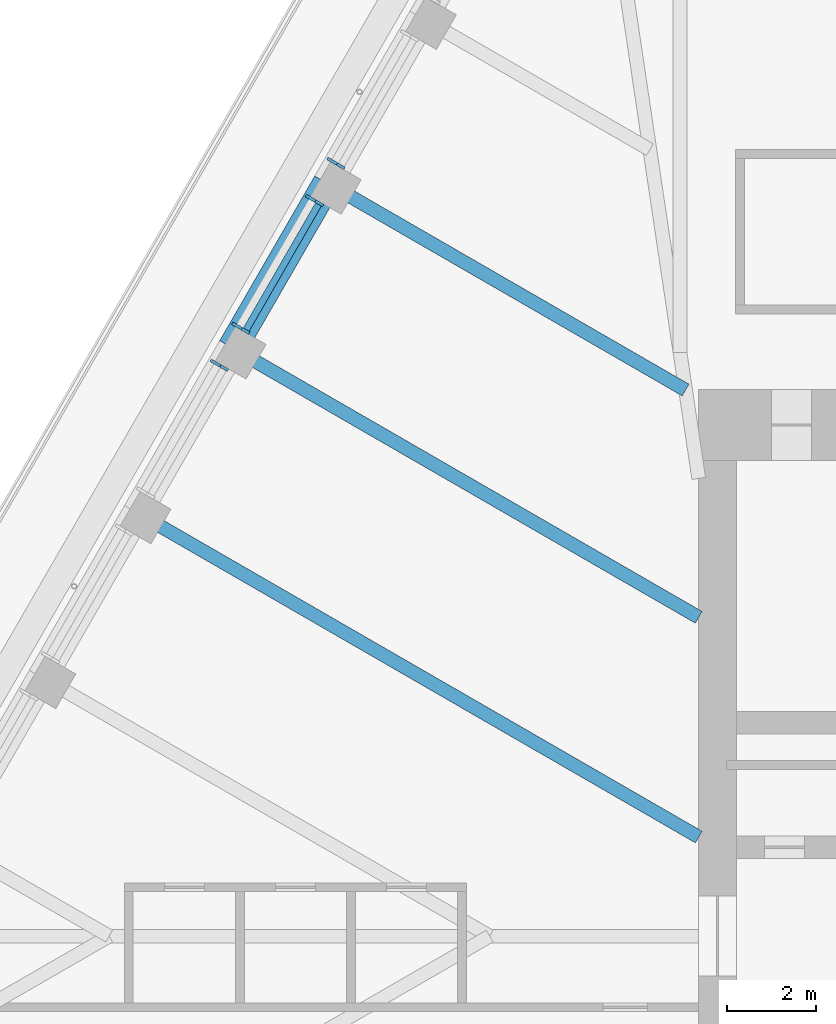
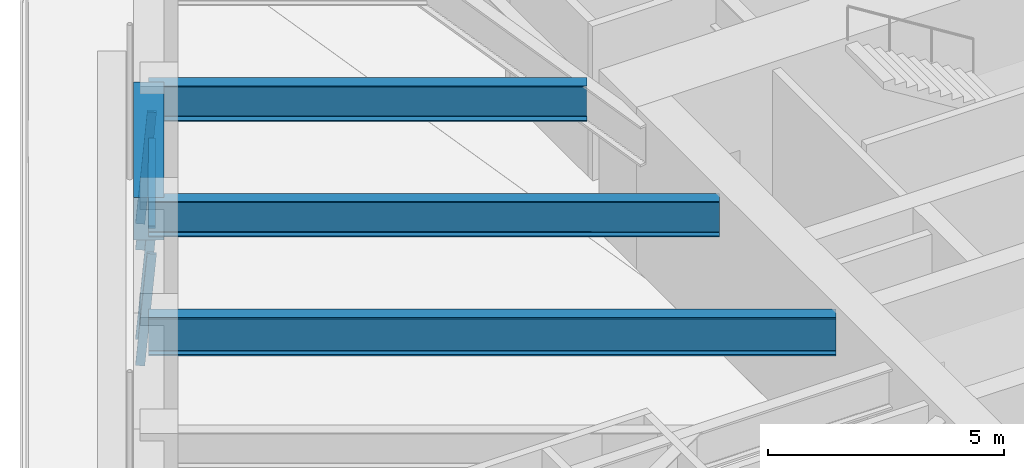
# One storey, part 7 of 19: 5 members, 4 beams, 3 elements without a shape of their own.
"""IFC4 building model written with IfcOpenShell, lengths in metres."""

from ifc_helpers import new_model, si_unit, direction, frame, origin, origin_2d, place, context, subcontext, project, spatial, rectangle, i_section, extrude, material, material_profile, profile_set, type_object, element, aggregate, save


model = new_model("IFC4")

# Units and contexts
model_context = context("Model", 3, precision=1e-05, world=origin(), true_north=direction((0.0, 1.0)))
body_context = subcontext(model_context, "Body", "Model", "MODEL_VIEW")
ifc_project = project(units=[si_unit("LENGTHUNIT", "METRE"), si_unit("AREAUNIT", "SQUARE_METRE"), si_unit("VOLUMEUNIT", "CUBIC_METRE"), si_unit("PLANEANGLEUNIT", "RADIAN"), si_unit("MASSUNIT", "GRAM", prefix="KILO")], contexts=[model_context])

# Site, building, storey
site_placement = place(None, origin())
site = spatial("IfcSite", under=ifc_project, at=site_placement, CompositionType="ELEMENT")
building_placement = place(site_placement, origin())
building = spatial("IfcBuilding", under=site, at=building_placement, Name="Tarfa Lantern Tower", CompositionType="ELEMENT")
storey_placement = place(building_placement, frame((0.0, 0.0, 353.5)))
storey = spatial("IfcBuildingStorey", under=building, at=storey_placement, Name="L80", CompositionType="ELEMENT", Elevation=353.5)

# Curtain wall, member
ifc_material_1 = material(Name="Aluminium framed curtain wall", Category="aluminium")
curtain_wall_type = type_object("IfcCurtainWallType", Name="CW4 CANTED GLAZING EXECUTIVE ZONE 2900", PredefinedType="USERDEFINED", material=ifc_material_1)
curtain_wall_1_placement = place(storey_placement, origin())
curtain_wall_1 = element("IfcCurtainWall", 1, at=curtain_wall_1_placement, inside=storey, type_object=curtain_wall_type, Name="CW4 NW L80", ObjectType="CURTAIN WALL", PredefinedType="USERDEFINED")
ifc_material_2 = material(Name="Aluminium mullion", Category="aluminium")
ifc_material_profile_1 = material_profile(ifc_material_2, rectangle(XDim=0.06494140625, YDim=0.199951171875, at=origin_2d()), Name="AL MULLION 65x200")
ifc_profile_set_1 = profile_set([ifc_material_profile_1], Name="Aluminium mullion")
member_type_1 = type_object("IfcMemberType", Name="CWM1 MULLION 65x200", PredefinedType="MULLION", material=ifc_profile_set_1)
member_1_placement = place(storey_placement, frame((-20.697265625, 17.451171875, 0.0), z_axis=(0.074399820079, -0.042945555672, 0.996303340364), x_axis=(0.499919672301, 0.866071776036, 0.0)))
member_1 = element("IfcMember", 2, at=member_1_placement, type_object=member_type_1, Name="CW4 mullion 2", PredefinedType="MULLION", context=body_context, shape_type="SweptSolid", body=[
    extrude(rectangle(XDim=0.06494140625, YDim=0.199951171875, at=origin_2d()), origin(), (0.0, 0.0, 1.0), 2.91064453125),
])
aggregate(curtain_wall_1, [member_1])

# Curtain wall, members
curtain_wall_2_placement = place(storey_placement, origin())
curtain_wall_2 = element("IfcCurtainWall", 3, at=curtain_wall_2_placement, inside=storey, type_object=curtain_wall_type, Name="CW4 NW L80", ObjectType="CURTAIN WALL", PredefinedType="USERDEFINED")
member_2_placement = place(storey_placement, frame((-21.179931640625, 16.615478515625, 0.0), z_axis=(0.074399820079, -0.042945555672, 0.996303340364), x_axis=(0.499919672301, 0.866071776036, 0.0)))
member_2 = element("IfcMember", 4, at=member_2_placement, type_object=member_type_1, Name="CW4 mullion 1", PredefinedType="MULLION", context=body_context, shape_type="SweptSolid", body=[
    extrude(rectangle(XDim=0.06494140625, YDim=0.199951171875, at=origin_2d()), origin(), (0.0, 0.0, 1.0), 2.91064453125),
])
member_3_placement = place(storey_placement, frame((-22.83837890625, 13.742919921875, 0.0), z_axis=(0.074399820079, -0.042945555672, 0.996303340364), x_axis=(0.499919672301, 0.866071776036, 0.0)))
member_3 = element("IfcMember", 5, at=member_3_placement, type_object=member_type_1, Name="CW4 mullion 2", PredefinedType="MULLION", context=body_context, shape_type="SweptSolid", body=[
    extrude(rectangle(XDim=0.06494140625, YDim=0.199951171875, at=origin_2d()), origin(), (0.0, 0.0, 1.0), 2.91064453125),
])

# Curtain wall, member
curtain_wall_3_placement = place(storey_placement, origin())
curtain_wall_3 = element("IfcCurtainWall", 6, at=curtain_wall_3_placement, inside=storey, type_object=curtain_wall_type, Name="CW4 NW L80", ObjectType="CURTAIN WALL", PredefinedType="USERDEFINED")
member_4_placement = place(storey_placement, frame((-23.32080078125, 12.9072265625, 0.0), z_axis=(0.074399820079, -0.042945555672, 0.996303340364), x_axis=(0.499919672301, 0.866071776036, 0.0)))
member_4 = element("IfcMember", 7, at=member_4_placement, type_object=member_type_1, Name="CW4 mullion 1", PredefinedType="MULLION", context=body_context, shape_type="SweptSolid", body=[
    extrude(rectangle(XDim=0.06494140625, YDim=0.199951171875, at=origin_2d()), origin(), (0.0, 0.0, 1.0), 2.91064453125),
])
aggregate(curtain_wall_3, [member_4])

# Member
ifc_material_3 = material(Name="Aluminium transom", Category="aluminium")
ifc_material_profile_2 = material_profile(ifc_material_3, rectangle(XDim=0.14990234375, YDim=0.06494140625, at=origin_2d()), Name="AL TRANSOM 150x65")
ifc_profile_set_2 = profile_set([ifc_material_profile_2], Name="Aluminium transom")
member_type_2 = type_object("IfcMemberType", Name="CWT1 TRANSOM 150x65", PredefinedType="USERDEFINED", material=ifc_profile_set_2)
member_5_placement = place(storey_placement, frame((-20.98193359375, 16.463623046875, 2.867431640625), z_axis=(-0.500014901547, -0.866016800201, 0.0), x_axis=(0.866016800201, -0.500014901547, 0.0)))
member_5 = element("IfcMember", 8, at=member_5_placement, type_object=member_type_2, Name="CW4 transom 1.2", ObjectType="TRANSOM", PredefinedType="USERDEFINED", context=body_context, shape_type="SweptSolid", body=[
    extrude(rectangle(XDim=0.14990234375, YDim=0.06494140625, at=origin_2d()), origin(), (0.0, 0.0, 1.0), 3.251953125),
])

aggregate(curtain_wall_2, [member_2, member_3, member_5])

# Beams
ifc_material_4 = material(Name="Concrete C80/95", Category="concrete")
ifc_material_profile_3 = material_profile(ifc_material_4, rectangle(XDim=0.64990234375, YDim=1.10009765625, at=origin_2d()), Name="RC 650x1100")
ifc_profile_set_3 = profile_set([ifc_material_profile_3], Name="Concrete C80/95")
beam_type_1 = type_object("IfcBeamType", Name="EB4 RC 650x1100", PredefinedType="SPANDREL", material=ifc_profile_set_3)
beam_1_placement = place(storey_placement, frame((-20.78271484375, 16.943359375, 3.449951171875), z_axis=(-0.499984039138, -0.866034618596, 0.0), x_axis=(0.866034618596, -0.499984039138, 0.0)))
element("IfcBeam", 9, at=beam_1_placement, inside=storey, type_object=beam_type_1, Name="Edge beam NW2", PredefinedType="SPANDREL", context=body_context, shape_type="SweptSolid", body=[
    extrude(rectangle(XDim=0.64990234375, YDim=1.10009765625, at=origin_2d()), origin(), (0.0, 0.0, 1.0), 4.281982421875),
])
ifc_material_5 = material(Name="Steel S460M", Category="steel")
ifc_material_profile_4 = material_profile(ifc_material_5, i_section(OverallWidth=0.302001953125, OverallDepth=1.008056640625, WebThickness=0.02099609375, FlangeThickness=0.0400390625, FilletRadius=0.030029296875, at=origin_2d()), Name="UB1016x305x349")
ifc_profile_set_4 = profile_set([ifc_material_profile_4], Name="Steel S460M")
beam_type_2 = type_object("IfcBeamType", Name="UB1016x305x349", PredefinedType="BEAM", material=ifc_profile_set_4)
beam_2_placement = place(storey_placement, frame((-25.064697265625, 9.526611328125, 3.495849609375), z_axis=(0.866029591389, -0.499992746786, 0.0), x_axis=(0.499992746786, 0.866029591389, 0.0)))
element("IfcBeam", 10, at=beam_2_placement, inside=storey, type_object=beam_type_2, Name="Floor beam NW4", PredefinedType="BEAM", context=body_context, shape_type="SweptSolid", body=[
    extrude(i_section(OverallWidth=0.302001953125, OverallDepth=1.008056640625, WebThickness=0.02099609375, FlangeThickness=0.0400390625, FilletRadius=0.030029296875, at=origin_2d()), origin(), (0.0, 0.0, 1.0), 14.594970703125),
])
ifc_material_profile_5 = material_profile(ifc_material_5, i_section(OverallWidth=0.305419921875, OverallDepth=0.91845703125, WebThickness=0.017333984375, FlangeThickness=0.02783203125, FilletRadius=0.01904296875, at=origin_2d()), Name="UB914x305x253")
ifc_profile_set_5 = profile_set([ifc_material_profile_5], Name="Steel S460M")
beam_type_3 = type_object("IfcBeamType", Name="UB914x305x253", PredefinedType="BEAM", material=ifc_profile_set_5)
beam_3_placement = place(storey_placement, frame((-20.78271484375, 16.943359375, 3.540771484375), z_axis=(0.866021806508, -0.500006230613, 0.0), x_axis=(0.500006230613, 0.866021806508, 0.0)))
element("IfcBeam", 11, at=beam_3_placement, inside=storey, type_object=beam_type_3, Name="Floor beam NW2", PredefinedType="BEAM", context=body_context, shape_type="SweptSolid", body=[
    extrude(i_section(OverallWidth=0.305419921875, OverallDepth=0.91845703125, WebThickness=0.017333984375, FlangeThickness=0.02783203125, FilletRadius=0.01904296875, at=origin_2d()), origin(), (0.0, 0.0, 1.0), 9.30908203125),
])
beam_4_placement = place(storey_placement, frame((-22.923583984375, 13.235107421875, 3.540771484375), z_axis=(0.86601856927, -0.500011837539, 0.0), x_axis=(0.500011837539, 0.86601856927, 0.0)))
element("IfcBeam", 12, at=beam_4_placement, inside=storey, type_object=beam_type_3, Name="Floor beam NW3", PredefinedType="BEAM", context=body_context, shape_type="SweptSolid", body=[
    extrude(i_section(OverallWidth=0.305419921875, OverallDepth=0.91845703125, WebThickness=0.017333984375, FlangeThickness=0.02783203125, FilletRadius=0.01904296875, at=origin_2d()), origin(), (0.0, 0.0, 1.0), 12.122802734375),
])

save(model, "model.ifc")
